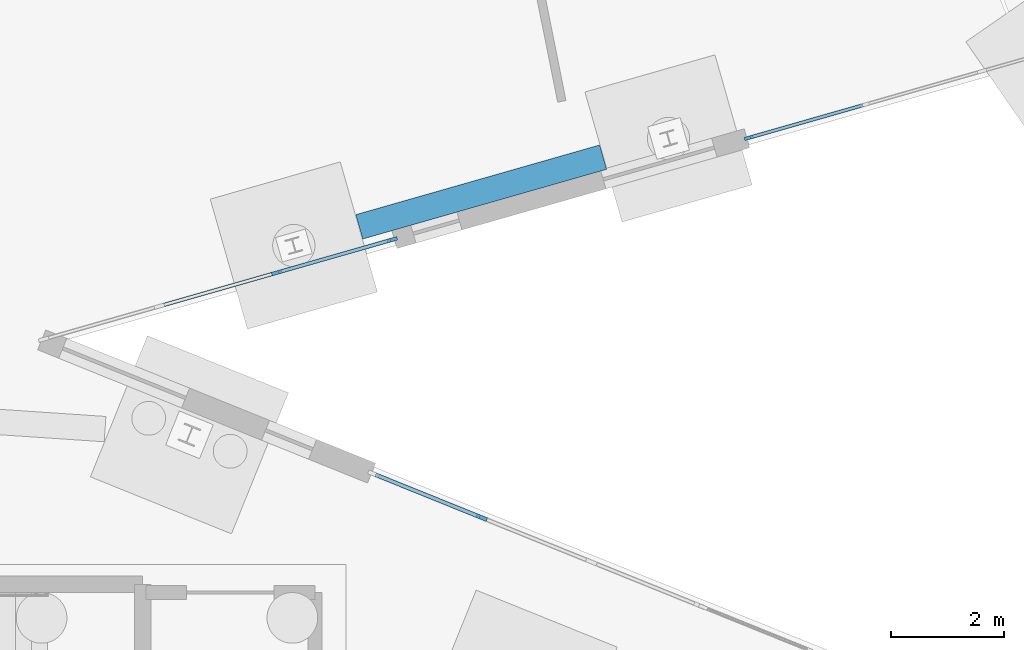
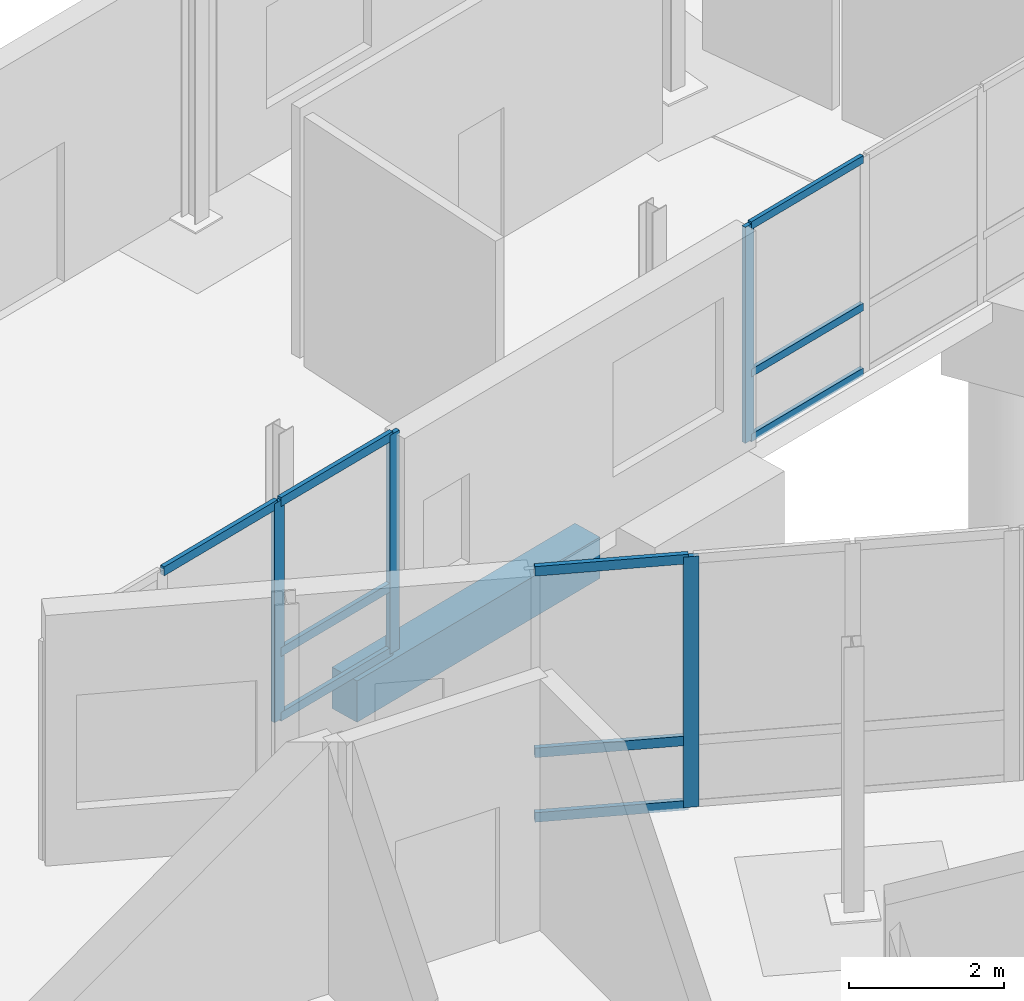
# One storey, part 43 of 113: 14 members, 1 beam, 3 elements without a shape of their own.
"""IFC4 building model written with IfcOpenShell, lengths in metres."""

from ifc_helpers import new_model, si_unit, direction, frame, origin, origin_2d, place, context, subcontext, project, spatial, rectangle, extrude, material, material_profile, profile_set, type_object, element, aggregate, save


model = new_model("IFC4")

# Units and contexts
model_context = context("Model", 3, precision=1e-05, world=origin(), true_north=direction((0.0, 1.0)))
body_context = subcontext(model_context, "Body", "Model", "MODEL_VIEW")
ifc_project = project(units=[si_unit("LENGTHUNIT", "METRE"), si_unit("AREAUNIT", "SQUARE_METRE"), si_unit("VOLUMEUNIT", "CUBIC_METRE"), si_unit("PLANEANGLEUNIT", "RADIAN"), si_unit("MASSUNIT", "GRAM", prefix="KILO")], contexts=[model_context])

# Site, building, storey
site_placement = place(None, origin())
site = spatial("IfcSite", under=ifc_project, at=site_placement, CompositionType="ELEMENT")
building_placement = place(site_placement, origin())
building = spatial("IfcBuilding", under=site, at=building_placement, Name="Wrenclough Park School", CompositionType="ELEMENT")
storey_placement = place(building_placement, origin())
storey = spatial("IfcBuildingStorey", under=building, at=storey_placement, Name="L00", CompositionType="ELEMENT", Elevation=0.0)

# Curtain wall, member
ifc_material_1 = material(Name="Thermally broken aluminium and low-e glass curtain wall", Category="aluminium")
curtain_wall_type_1 = type_object("IfcCurtainWallType", Name="ENV-CW-06", PredefinedType="USERDEFINED", material=ifc_material_1)
curtain_wall_1_placement = place(storey_placement, origin())
curtain_wall_1 = element("IfcCurtainWall", 1, at=curtain_wall_1_placement, inside=storey, type_object=curtain_wall_type_1, Name="L00 recessed curtain wall assembly 069", ObjectType="CURTAIN WALL", PredefinedType="USERDEFINED")
ifc_material_2 = material(Name="Thermally broken anodised aluminium", Category="aluminium")
ifc_material_profile_1 = material_profile(ifc_material_2, rectangle(XDim=0.06005859375, YDim=0.159912109375, at=origin_2d()), Name="AL MULLION 60x160")
ifc_profile_set_1 = profile_set([ifc_material_profile_1], Name="Thermally broken anodised aluminium")
member_type_1 = type_object("IfcMemberType", Name="ENV-CWM-1", PredefinedType="MULLION", material=ifc_profile_set_1)
member_1_placement = place(storey_placement, frame((65.600830078125, 98.86962890625, 0.0), z_axis=(0.0, 0.0, 1.0), x_axis=(0.274723159598, -0.961523367152, 0.0)))
member_1 = element("IfcMember", 2, at=member_1_placement, type_object=member_type_1, Name="CW-06 mullion 4", PredefinedType="MULLION", context=body_context, shape_type="SweptSolid", body=[
    extrude(rectangle(XDim=0.06005859375, YDim=0.159912109375, at=origin_2d()), origin(), (0.0, 0.0, 1.0), 3.39892578125),
])

# Curtain wall, members
curtain_wall_type_2 = type_object("IfcCurtainWallType", Name="ENV-CW-07", PredefinedType="USERDEFINED", material=ifc_material_1)
curtain_wall_2_placement = place(storey_placement, origin())
curtain_wall_2 = element("IfcCurtainWall", 3, at=curtain_wall_2_placement, inside=storey, type_object=curtain_wall_type_2, Name="L00 recessed curtain wall assembly 070", ObjectType="CURTAIN WALL", PredefinedType="USERDEFINED")
ifc_material_profile_2 = material_profile(ifc_material_2, rectangle(XDim=0.06494140625, YDim=0.179931640625, at=origin_2d()), Name="AL MULLION 65x180")
ifc_profile_set_2 = profile_set([ifc_material_profile_2], Name="Thermally broken anodised aluminium")
member_type_2 = type_object("IfcMemberType", Name="ENV-CWM-2", PredefinedType="MULLION", material=ifc_profile_set_2)
member_2_placement = place(storey_placement, frame((59.27490234375, 97.062255859375, 0.0), z_axis=(0.0, 0.0, 1.0), x_axis=(0.274723159598, -0.961523367152, 0.0)))
member_2 = element("IfcMember", 4, at=member_2_placement, type_object=member_type_2, Name="CW-07 mullion 1", PredefinedType="MULLION", context=body_context, shape_type="SweptSolid", body=[
    extrude(rectangle(XDim=0.06494140625, YDim=0.179931640625, at=origin_2d()), origin(), (0.0, 0.0, 1.0), 3.44189453125),
])
member_3_placement = place(storey_placement, frame((57.22265625, 96.475830078125, 0.0), z_axis=(0.0, 0.0, 1.0), x_axis=(0.274723159598, -0.961523367152, 0.0)))
member_3 = element("IfcMember", 5, at=member_3_placement, type_object=member_type_2, Name="CW-07 mullion 2", PredefinedType="MULLION", context=body_context, shape_type="SweptSolid", body=[
    extrude(rectangle(XDim=0.06494140625, YDim=0.179931640625, at=origin_2d()), origin(), (0.0, 0.0, 1.0), 3.44189453125),
])

# Curtain wall, member
curtain_wall_type_3 = type_object("IfcCurtainWallType", Name="ENV-CW-08", PredefinedType="USERDEFINED", material=ifc_material_1)
curtain_wall_3_placement = place(storey_placement, origin())
curtain_wall_3 = element("IfcCurtainWall", 6, at=curtain_wall_3_placement, inside=storey, type_object=curtain_wall_type_3, Name="L00 recessed curtain wall assembly 071", ObjectType="CURTAIN WALL", PredefinedType="USERDEFINED")
ifc_material_profile_3 = material_profile(ifc_material_2, rectangle(XDim=0.070068359375, YDim=0.199951171875, at=origin_2d()), Name="AL MULLION 70x200")
ifc_profile_set_3 = profile_set([ifc_material_profile_3], Name="Thermally broken anodised aluminium")
member_type_3 = type_object("IfcMemberType", Name="ENV-CWM-3", PredefinedType="MULLION", material=ifc_profile_set_3)
member_4_placement = place(storey_placement, frame((60.85888671875, 92.1298828125, 0.0), z_axis=(0.0, 0.0, 1.0), x_axis=(0.374592832791, 0.927189414101, 0.0)))
member_4 = element("IfcMember", 7, at=member_4_placement, type_object=member_type_3, Name="CW-08 mullion 2", PredefinedType="MULLION", context=body_context, shape_type="SweptSolid", body=[
    extrude(rectangle(XDim=0.070068359375, YDim=0.199951171875, at=origin_2d()), origin(), (0.0, 0.0, 1.0), 3.93994140625),
])

# Member
ifc_material_profile_4 = material_profile(ifc_material_2, rectangle(XDim=0.06005859375, YDim=0.1201171875, at=origin_2d()), Name="AL TRANSOM 60x120")
ifc_profile_set_4 = profile_set([ifc_material_profile_4], Name="Thermally broken anodised aluminium")
member_type_4 = type_object("IfcMemberType", Name="ENV-CWT-1", PredefinedType="USERDEFINED", material=ifc_profile_set_4)
member_5_placement = place(storey_placement, frame((67.626708984375, 99.4482421875, 0.030029296875), z_axis=(-0.961528383223, -0.274705602884, 0.0), x_axis=(0.274705602884, -0.961528383223, 0.0)))
member_5 = element("IfcMember", 8, at=member_5_placement, type_object=member_type_4, Name="CW-06 transom 3.1", ObjectType="TRANSOM", PredefinedType="USERDEFINED", context=body_context, shape_type="SweptSolid", body=[
    extrude(rectangle(XDim=0.06005859375, YDim=0.1201171875, at=origin_2d()), origin(), (0.0, 0.0, 1.0), 2.076904296875),
])

member_6_placement = place(storey_placement, frame((67.626708984375, 99.4482421875, 1.050048828125), z_axis=(-0.961528383223, -0.274705602884, 0.0), x_axis=(0.274705602884, -0.961528383223, 0.0)))
member_6 = element("IfcMember", 9, at=member_6_placement, type_object=member_type_4, Name="CW-06 transom 3.2", ObjectType="TRANSOM", PredefinedType="USERDEFINED", context=body_context, shape_type="SweptSolid", body=[
    extrude(rectangle(XDim=0.06005859375, YDim=0.1201171875, at=origin_2d()), origin(), (0.0, 0.0, 1.0), 2.076904296875),
])

member_7_placement = place(storey_placement, frame((67.626708984375, 99.4482421875, 3.368896484375), z_axis=(-0.961528383223, -0.274705602884, 0.0), x_axis=(0.274705602884, -0.961528383223, 0.0)))
member_7 = element("IfcMember", 10, at=member_7_placement, type_object=member_type_4, Name="CW-06 transom 3.3", ObjectType="TRANSOM", PredefinedType="USERDEFINED", context=body_context, shape_type="SweptSolid", body=[
    extrude(rectangle(XDim=0.06005859375, YDim=0.1201171875, at=origin_2d()), origin(), (0.0, 0.0, 1.0), 2.076904296875),
])

aggregate(curtain_wall_1, [member_1, member_5, member_6, member_7])

ifc_material_profile_5 = material_profile(ifc_material_2, rectangle(XDim=0.06494140625, YDim=0.139892578125, at=origin_2d()), Name="AL TRANSOM 65x140")
ifc_profile_set_5 = profile_set([ifc_material_profile_5], Name="Thermally broken anodised aluminium")
member_type_5 = type_object("IfcMemberType", Name="ENV-CWT-2", PredefinedType="USERDEFINED", material=ifc_profile_set_5)
member_8_placement = place(storey_placement, frame((59.24365234375, 97.05322265625, 0.032470703125), z_axis=(-0.961510590645, -0.274767873081, 0.0), x_axis=(0.274767873081, -0.961510590645, 0.0)))
member_8 = element("IfcMember", 11, at=member_8_placement, type_object=member_type_5, Name="CW-07 transom 1.1", ObjectType="TRANSOM", PredefinedType="USERDEFINED", context=body_context, shape_type="SweptSolid", body=[
    extrude(rectangle(XDim=0.06494140625, YDim=0.139892578125, at=origin_2d()), origin(), (0.0, 0.0, 1.0), 2.0693359375),
])

member_9_placement = place(storey_placement, frame((59.24365234375, 97.05322265625, 1.050048828125), z_axis=(-0.961510590645, -0.274767873081, 0.0), x_axis=(0.274767873081, -0.961510590645, 0.0)))
member_9 = element("IfcMember", 12, at=member_9_placement, type_object=member_type_5, Name="CW-07 transom 1.2", ObjectType="TRANSOM", PredefinedType="USERDEFINED", context=body_context, shape_type="SweptSolid", body=[
    extrude(rectangle(XDim=0.06494140625, YDim=0.139892578125, at=origin_2d()), origin(), (0.0, 0.0, 1.0), 2.0693359375),
])

member_10_placement = place(storey_placement, frame((59.24365234375, 97.05322265625, 3.409423828125), z_axis=(-0.961510590645, -0.274767873081, 0.0), x_axis=(0.274767873081, -0.961510590645, 0.0)))
member_10 = element("IfcMember", 13, at=member_10_placement, type_object=member_type_5, Name="CW-07 transom 1.3", ObjectType="TRANSOM", PredefinedType="USERDEFINED", context=body_context, shape_type="SweptSolid", body=[
    extrude(rectangle(XDim=0.06494140625, YDim=0.139892578125, at=origin_2d()), origin(), (0.0, 0.0, 1.0), 2.0693359375),
])

member_11_placement = place(storey_placement, frame((57.19140625, 96.466796875, 3.409423828125), z_axis=(-0.961528330713, -0.27470578668, 0.0), x_axis=(0.27470578668, -0.961528330713, 0.0)))
member_11 = element("IfcMember", 14, at=member_11_placement, type_object=member_type_5, Name="CW-07 transom 2.3", ObjectType="TRANSOM", PredefinedType="USERDEFINED", context=body_context, shape_type="SweptSolid", body=[
    extrude(rectangle(XDim=0.06494140625, YDim=0.139892578125, at=origin_2d()), origin(), (0.0, 0.0, 1.0), 2.101806640625),
])

aggregate(curtain_wall_2, [member_2, member_3, member_8, member_9, member_10, member_11])

ifc_material_profile_6 = material_profile(ifc_material_2, rectangle(XDim=0.070068359375, YDim=0.14990234375, at=origin_2d()), Name="AL TRANSOM 70x150")
ifc_profile_set_6 = profile_set([ifc_material_profile_6], Name="Thermally broken anodised aluminium")
member_type_6 = type_object("IfcMemberType", Name="ENV-CWT-3", PredefinedType="USERDEFINED", material=ifc_profile_set_6)
member_12_placement = place(storey_placement, frame((58.974609375, 92.89111328125, 0.034912109375), z_axis=(0.927206734572, -0.374549958435, 0.0), x_axis=(0.374549958435, 0.927206734572, 0.0)))
member_12 = element("IfcMember", 15, at=member_12_placement, type_object=member_type_6, Name="CW-08 transom 1.1", ObjectType="TRANSOM", PredefinedType="USERDEFINED", context=body_context, shape_type="SweptSolid", body=[
    extrude(rectangle(XDim=0.070068359375, YDim=0.14990234375, at=origin_2d()), origin(), (0.0, 0.0, 1.0), 1.9970703125),
])

member_13_placement = place(storey_placement, frame((58.974609375, 92.89111328125, 1.050048828125), z_axis=(0.927206734572, -0.374549958435, 0.0), x_axis=(0.374549958435, 0.927206734572, 0.0)))
member_13 = element("IfcMember", 16, at=member_13_placement, type_object=member_type_6, Name="CW-08 transom 1.2", ObjectType="TRANSOM", PredefinedType="USERDEFINED", context=body_context, shape_type="SweptSolid", body=[
    extrude(rectangle(XDim=0.070068359375, YDim=0.14990234375, at=origin_2d()), origin(), (0.0, 0.0, 1.0), 1.9970703125),
])

member_14_placement = place(storey_placement, frame((58.974609375, 92.89111328125, 3.905029296875), z_axis=(0.927206734572, -0.374549958435, 0.0), x_axis=(0.374549958435, 0.927206734572, 0.0)))
member_14 = element("IfcMember", 17, at=member_14_placement, type_object=member_type_6, Name="CW-08 transom 1.3", ObjectType="TRANSOM", PredefinedType="USERDEFINED", context=body_context, shape_type="SweptSolid", body=[
    extrude(rectangle(XDim=0.070068359375, YDim=0.14990234375, at=origin_2d()), origin(), (0.0, 0.0, 1.0), 1.9970703125),
])

aggregate(curtain_wall_3, [member_4, member_12, member_13, member_14])

# Beam
ifc_material_3 = material(Name="Concrete C35/45", Category="concrete")
ifc_material_profile_7 = material_profile(ifc_material_3, rectangle(XDim=0.449951171875, YDim=0.64990234375, at=origin_2d()), Name="RC GROUND 450x650")
ifc_profile_set_7 = profile_set([ifc_material_profile_7], Name="Concrete C35/45")
beam_type = type_object("IfcBeamType", Name="STR-BM-GTB1", PredefinedType="USERDEFINED", material=ifc_profile_set_7)
beam_placement = place(storey_placement, frame((58.68798828125, 97.289794921875, -0.625), z_axis=(0.961534183476, 0.274685299946, 0.0), x_axis=(-0.274685299946, 0.961534183476, 0.0)))
element("IfcBeam", 18, at=beam_placement, inside=storey, type_object=beam_type, Name="Reinforced concrete ground tie beam 145", ObjectType="GROUND TIE BEAM", PredefinedType="USERDEFINED", context=body_context, shape_type="SweptSolid", body=[
    extrude(rectangle(XDim=0.449951171875, YDim=0.64990234375, at=origin_2d()), origin(), (0.0, 0.0, 1.0), 4.5),
])

save(model, "model.ifc")
